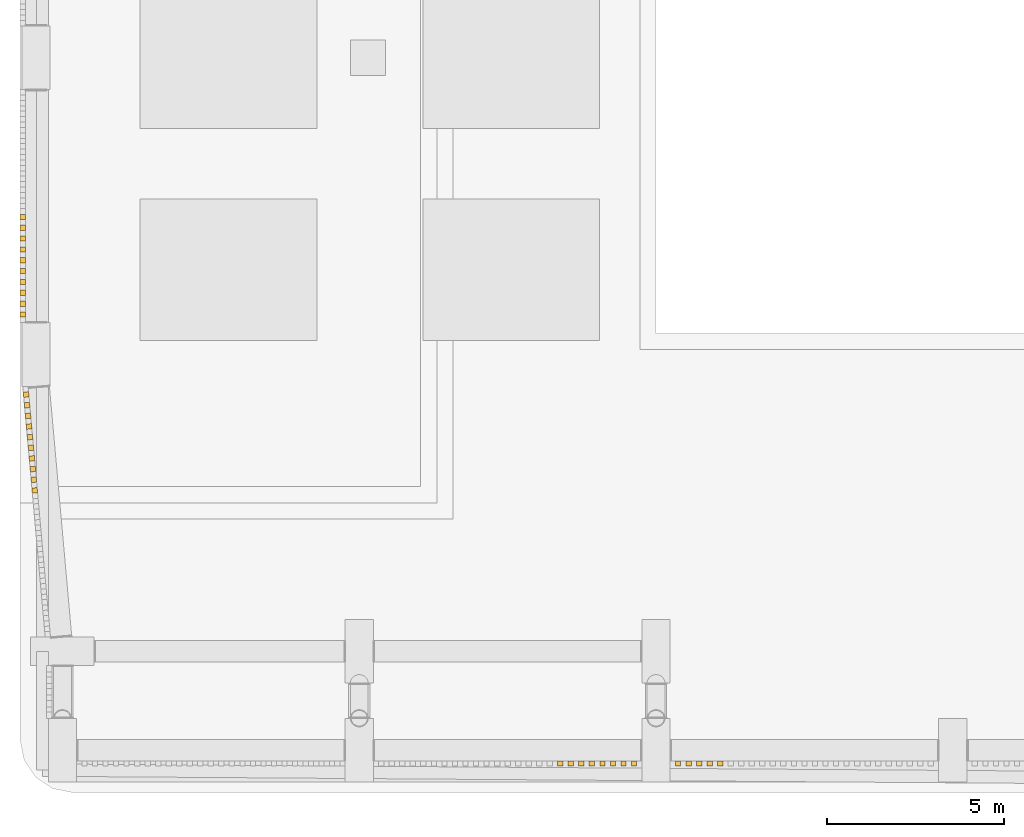
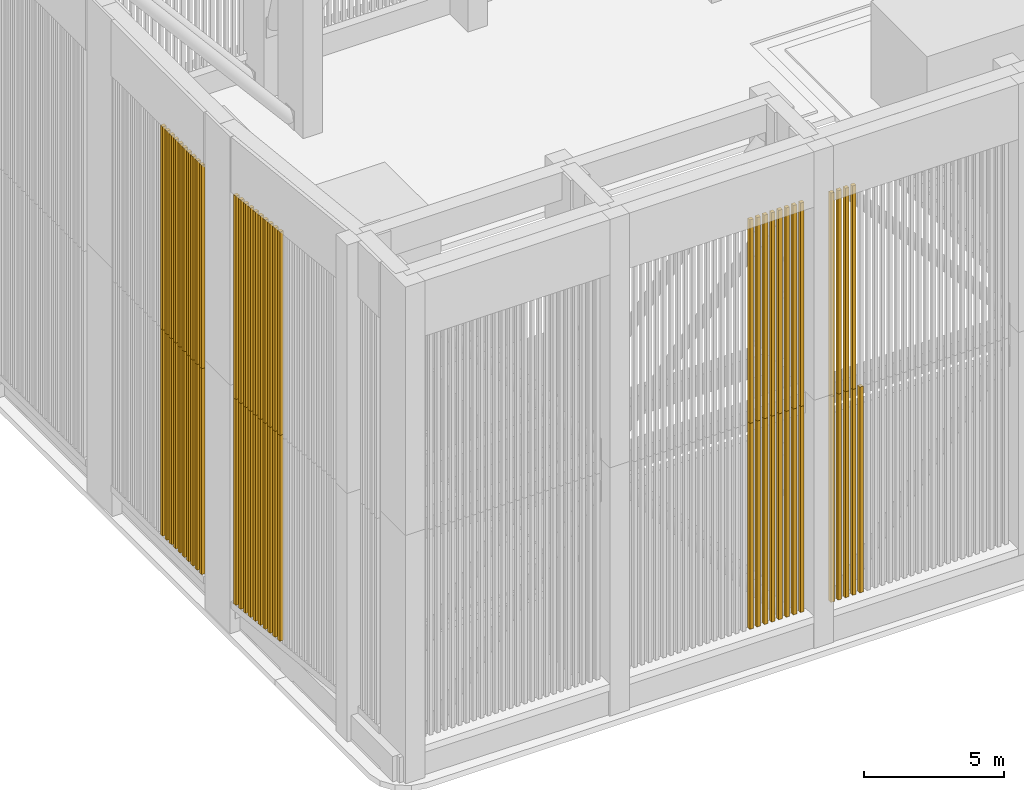
# One storey, part 10 of 27: 65 shading devices.
"""IFC4 building model written with IfcOpenShell, lengths in metres."""

from ifc_helpers import new_model, si_unit, direction, frame, origin, origin_2d, place, context, subcontext, project, spatial, rectangle, extrude, material, type_object, element, save


model = new_model("IFC4")

# Units and contexts
model_context = context("Model", 3, precision=1e-05, world=origin(), true_north=direction((0.0, 1.0)))
body_context = subcontext(model_context, "Body", "Model", "MODEL_VIEW")
ifc_project = project(units=[si_unit("LENGTHUNIT", "METRE"), si_unit("AREAUNIT", "SQUARE_METRE"), si_unit("VOLUMEUNIT", "CUBIC_METRE"), si_unit("PLANEANGLEUNIT", "RADIAN"), si_unit("MASSUNIT", "GRAM", prefix="KILO")], contexts=[model_context])

# Site, building, storey
site_placement = place(None, origin())
site = spatial("IfcSite", under=ifc_project, at=site_placement, CompositionType="ELEMENT")
building_placement = place(site_placement, origin())
building = spatial("IfcBuilding", under=site, at=building_placement, Name="Claustro Exchange Tower", CompositionType="ELEMENT")
storey_placement = place(building_placement, frame((0.0, 0.0, 287.10009765625)))
storey = spatial("IfcBuildingStorey", under=building, at=storey_placement, Name="ROOF", CompositionType="ELEMENT", Elevation=287.10009765625)

# Shading devices
ifc_material = material(Name="Concrete HA-40 (C40/50), precast, white cement, acid-etched", Category="concrete")
shading_device_type = type_object("IfcShadingDeviceType", Name="LV1 150 x 150 precast concrete crown louvre", PredefinedType="USERDEFINED", material=ifc_material)
shading_device_1_placement = place(storey_placement, frame((14.090087890625, 5.224609375, 1.39990234375), z_axis=(0.0, 0.0, 1.0), x_axis=(1.0, 0.0, 0.0)))
element("IfcShadingDevice", 1, at=shading_device_1_placement, inside=storey, type_object=shading_device_type, Name="CROWN LOUVRE LV1 2/A+5600 - 3/A+5600 18 lower", ObjectType="CROWN LOUVRE", PredefinedType="USERDEFINED", context=body_context, shape_type="SweptSolid", body=[
    extrude(rectangle(XDim=0.14990234375, YDim=0.14990234375, at=origin_2d()), origin(), (0.0, 0.0, 1.0), 8.949951171875),
])
shading_device_2_placement = place(storey_placement, frame((14.090087890625, 5.224609375, 10.349853515625), z_axis=(0.0, 0.0, 1.0), x_axis=(1.0, 0.0, 0.0)))
element("IfcShadingDevice", 2, at=shading_device_2_placement, inside=storey, type_object=shading_device_type, Name="CROWN LOUVRE LV1 2/A+5600 - 3/A+5600 18 upper", ObjectType="CROWN LOUVRE", PredefinedType="USERDEFINED", context=body_context, shape_type="SweptSolid", body=[
    extrude(rectangle(XDim=0.14990234375, YDim=0.14990234375, at=origin_2d()), origin(), (0.0, 0.0, 1.0), 8.85009765625),
])
shading_device_3_placement = place(storey_placement, frame((14.38818359375, 5.224609375, 1.39990234375), z_axis=(0.0, 0.0, 1.0), x_axis=(1.0, 0.0, 0.0)))
element("IfcShadingDevice", 3, at=shading_device_3_placement, inside=storey, type_object=shading_device_type, Name="CROWN LOUVRE LV1 2/A+5600 - 3/A+5600 19 lower", ObjectType="CROWN LOUVRE", PredefinedType="USERDEFINED", context=body_context, shape_type="SweptSolid", body=[
    extrude(rectangle(XDim=0.14990234375, YDim=0.14990234375, at=origin_2d()), origin(), (0.0, 0.0, 1.0), 8.949951171875),
])
shading_device_4_placement = place(storey_placement, frame((14.38818359375, 5.224609375, 10.349853515625), z_axis=(0.0, 0.0, 1.0), x_axis=(1.0, 0.0, 0.0)))
element("IfcShadingDevice", 4, at=shading_device_4_placement, inside=storey, type_object=shading_device_type, Name="CROWN LOUVRE LV1 2/A+5600 - 3/A+5600 19 upper", ObjectType="CROWN LOUVRE", PredefinedType="USERDEFINED", context=body_context, shape_type="SweptSolid", body=[
    extrude(rectangle(XDim=0.14990234375, YDim=0.14990234375, at=origin_2d()), origin(), (0.0, 0.0, 1.0), 8.85009765625),
])
shading_device_5_placement = place(storey_placement, frame((14.686279296875, 5.224609375, 1.39990234375), z_axis=(0.0, 0.0, 1.0), x_axis=(1.0, 0.0, 0.0)))
element("IfcShadingDevice", 5, at=shading_device_5_placement, inside=storey, type_object=shading_device_type, Name="CROWN LOUVRE LV1 2/A+5600 - 3/A+5600 20 lower", ObjectType="CROWN LOUVRE", PredefinedType="USERDEFINED", context=body_context, shape_type="SweptSolid", body=[
    extrude(rectangle(XDim=0.14990234375, YDim=0.14990234375, at=origin_2d()), origin(), (0.0, 0.0, 1.0), 8.949951171875),
])
shading_device_6_placement = place(storey_placement, frame((14.686279296875, 5.224609375, 10.349853515625), z_axis=(0.0, 0.0, 1.0), x_axis=(1.0, 0.0, 0.0)))
element("IfcShadingDevice", 6, at=shading_device_6_placement, inside=storey, type_object=shading_device_type, Name="CROWN LOUVRE LV1 2/A+5600 - 3/A+5600 20 upper", ObjectType="CROWN LOUVRE", PredefinedType="USERDEFINED", context=body_context, shape_type="SweptSolid", body=[
    extrude(rectangle(XDim=0.14990234375, YDim=0.14990234375, at=origin_2d()), origin(), (0.0, 0.0, 1.0), 8.85009765625),
])
shading_device_7_placement = place(storey_placement, frame((14.984375, 5.224609375, 1.39990234375), z_axis=(0.0, 0.0, 1.0), x_axis=(1.0, 0.0, 0.0)))
element("IfcShadingDevice", 7, at=shading_device_7_placement, inside=storey, type_object=shading_device_type, Name="CROWN LOUVRE LV1 2/A+5600 - 3/A+5600 21 lower", ObjectType="CROWN LOUVRE", PredefinedType="USERDEFINED", context=body_context, shape_type="SweptSolid", body=[
    extrude(rectangle(XDim=0.14990234375, YDim=0.14990234375, at=origin_2d()), origin(), (0.0, 0.0, 1.0), 8.949951171875),
])
shading_device_8_placement = place(storey_placement, frame((14.984375, 5.224609375, 10.349853515625), z_axis=(0.0, 0.0, 1.0), x_axis=(1.0, 0.0, 0.0)))
element("IfcShadingDevice", 8, at=shading_device_8_placement, inside=storey, type_object=shading_device_type, Name="CROWN LOUVRE LV1 2/A+5600 - 3/A+5600 21 upper", ObjectType="CROWN LOUVRE", PredefinedType="USERDEFINED", context=body_context, shape_type="SweptSolid", body=[
    extrude(rectangle(XDim=0.14990234375, YDim=0.14990234375, at=origin_2d()), origin(), (0.0, 0.0, 1.0), 8.85009765625),
])
shading_device_9_placement = place(storey_placement, frame((15.2822265625, 5.224609375, 1.39990234375), z_axis=(0.0, 0.0, 1.0), x_axis=(1.0, 0.0, 0.0)))
element("IfcShadingDevice", 9, at=shading_device_9_placement, inside=storey, type_object=shading_device_type, Name="CROWN LOUVRE LV1 2/A+5600 - 3/A+5600 22 lower", ObjectType="CROWN LOUVRE", PredefinedType="USERDEFINED", context=body_context, shape_type="SweptSolid", body=[
    extrude(rectangle(XDim=0.14990234375, YDim=0.14990234375, at=origin_2d()), origin(), (0.0, 0.0, 1.0), 8.949951171875),
])
shading_device_10_placement = place(storey_placement, frame((15.2822265625, 5.224609375, 10.349853515625), z_axis=(0.0, 0.0, 1.0), x_axis=(1.0, 0.0, 0.0)))
element("IfcShadingDevice", 10, at=shading_device_10_placement, inside=storey, type_object=shading_device_type, Name="CROWN LOUVRE LV1 2/A+5600 - 3/A+5600 22 upper", ObjectType="CROWN LOUVRE", PredefinedType="USERDEFINED", context=body_context, shape_type="SweptSolid", body=[
    extrude(rectangle(XDim=0.14990234375, YDim=0.14990234375, at=origin_2d()), origin(), (0.0, 0.0, 1.0), 8.85009765625),
])
shading_device_11_placement = place(storey_placement, frame((15.580322265625, 5.224609375, 1.39990234375), z_axis=(0.0, 0.0, 1.0), x_axis=(1.0, 0.0, 0.0)))
element("IfcShadingDevice", 11, at=shading_device_11_placement, inside=storey, type_object=shading_device_type, Name="CROWN LOUVRE LV1 2/A+5600 - 3/A+5600 23 lower", ObjectType="CROWN LOUVRE", PredefinedType="USERDEFINED", context=body_context, shape_type="SweptSolid", body=[
    extrude(rectangle(XDim=0.14990234375, YDim=0.14990234375, at=origin_2d()), origin(), (0.0, 0.0, 1.0), 8.949951171875),
])
shading_device_12_placement = place(storey_placement, frame((15.580322265625, 5.224609375, 10.349853515625), z_axis=(0.0, 0.0, 1.0), x_axis=(1.0, 0.0, 0.0)))
element("IfcShadingDevice", 12, at=shading_device_12_placement, inside=storey, type_object=shading_device_type, Name="CROWN LOUVRE LV1 2/A+5600 - 3/A+5600 23 upper", ObjectType="CROWN LOUVRE", PredefinedType="USERDEFINED", context=body_context, shape_type="SweptSolid", body=[
    extrude(rectangle(XDim=0.14990234375, YDim=0.14990234375, at=origin_2d()), origin(), (0.0, 0.0, 1.0), 8.85009765625),
])
shading_device_13_placement = place(storey_placement, frame((15.87841796875, 5.224609375, 1.39990234375), z_axis=(0.0, 0.0, 1.0), x_axis=(1.0, 0.0, 0.0)))
element("IfcShadingDevice", 13, at=shading_device_13_placement, inside=storey, type_object=shading_device_type, Name="CROWN LOUVRE LV1 2/A+5600 - 3/A+5600 24 lower", ObjectType="CROWN LOUVRE", PredefinedType="USERDEFINED", context=body_context, shape_type="SweptSolid", body=[
    extrude(rectangle(XDim=0.14990234375, YDim=0.14990234375, at=origin_2d()), origin(), (0.0, 0.0, 1.0), 8.949951171875),
])
shading_device_14_placement = place(storey_placement, frame((15.87841796875, 5.224609375, 10.349853515625), z_axis=(0.0, 0.0, 1.0), x_axis=(1.0, 0.0, 0.0)))
element("IfcShadingDevice", 14, at=shading_device_14_placement, inside=storey, type_object=shading_device_type, Name="CROWN LOUVRE LV1 2/A+5600 - 3/A+5600 24 upper", ObjectType="CROWN LOUVRE", PredefinedType="USERDEFINED", context=body_context, shape_type="SweptSolid", body=[
    extrude(rectangle(XDim=0.14990234375, YDim=0.14990234375, at=origin_2d()), origin(), (0.0, 0.0, 1.0), 8.85009765625),
])
shading_device_15_placement = place(storey_placement, frame((16.176513671875, 5.224609375, 1.39990234375), z_axis=(0.0, 0.0, 1.0), x_axis=(1.0, 0.0, 0.0)))
element("IfcShadingDevice", 15, at=shading_device_15_placement, inside=storey, type_object=shading_device_type, Name="CROWN LOUVRE LV1 2/A+5600 - 3/A+5600 25 lower", ObjectType="CROWN LOUVRE", PredefinedType="USERDEFINED", context=body_context, shape_type="SweptSolid", body=[
    extrude(rectangle(XDim=0.14990234375, YDim=0.14990234375, at=origin_2d()), origin(), (0.0, 0.0, 1.0), 8.949951171875),
])
shading_device_16_placement = place(storey_placement, frame((16.176513671875, 5.224609375, 10.349853515625), z_axis=(0.0, 0.0, 1.0), x_axis=(1.0, 0.0, 0.0)))
element("IfcShadingDevice", 16, at=shading_device_16_placement, inside=storey, type_object=shading_device_type, Name="CROWN LOUVRE LV1 2/A+5600 - 3/A+5600 25 upper", ObjectType="CROWN LOUVRE", PredefinedType="USERDEFINED", context=body_context, shape_type="SweptSolid", body=[
    extrude(rectangle(XDim=0.14990234375, YDim=0.14990234375, at=origin_2d()), origin(), (0.0, 0.0, 1.0), 8.85009765625),
])
shading_device_17_placement = place(storey_placement, frame((17.423583984375, 5.224609375, 1.39990234375), z_axis=(0.0, 0.0, 1.0), x_axis=(1.0, 0.0, 0.0)))
element("IfcShadingDevice", 17, at=shading_device_17_placement, inside=storey, type_object=shading_device_type, Name="CROWN LOUVRE LV1 3/A+5600 - 4/A+5600 01 lower", ObjectType="CROWN LOUVRE", PredefinedType="USERDEFINED", context=body_context, shape_type="SweptSolid", body=[
    extrude(rectangle(XDim=0.14990234375, YDim=0.14990234375, at=origin_2d()), origin(), (0.0, 0.0, 1.0), 8.949951171875),
])
shading_device_18_placement = place(storey_placement, frame((17.423583984375, 5.224609375, 10.349853515625), z_axis=(0.0, 0.0, 1.0), x_axis=(1.0, 0.0, 0.0)))
element("IfcShadingDevice", 18, at=shading_device_18_placement, inside=storey, type_object=shading_device_type, Name="CROWN LOUVRE LV1 3/A+5600 - 4/A+5600 01 upper", ObjectType="CROWN LOUVRE", PredefinedType="USERDEFINED", context=body_context, shape_type="SweptSolid", body=[
    extrude(rectangle(XDim=0.14990234375, YDim=0.14990234375, at=origin_2d()), origin(), (0.0, 0.0, 1.0), 8.85009765625),
])
shading_device_19_placement = place(storey_placement, frame((17.7216796875, 5.224609375, 1.39990234375), z_axis=(0.0, 0.0, 1.0), x_axis=(1.0, 0.0, 0.0)))
element("IfcShadingDevice", 19, at=shading_device_19_placement, inside=storey, type_object=shading_device_type, Name="CROWN LOUVRE LV1 3/A+5600 - 4/A+5600 02 lower", ObjectType="CROWN LOUVRE", PredefinedType="USERDEFINED", context=body_context, shape_type="SweptSolid", body=[
    extrude(rectangle(XDim=0.14990234375, YDim=0.14990234375, at=origin_2d()), origin(), (0.0, 0.0, 1.0), 8.949951171875),
])
shading_device_20_placement = place(storey_placement, frame((17.7216796875, 5.224609375, 10.349853515625), z_axis=(0.0, 0.0, 1.0), x_axis=(1.0, 0.0, 0.0)))
element("IfcShadingDevice", 20, at=shading_device_20_placement, inside=storey, type_object=shading_device_type, Name="CROWN LOUVRE LV1 3/A+5600 - 4/A+5600 02 upper", ObjectType="CROWN LOUVRE", PredefinedType="USERDEFINED", context=body_context, shape_type="SweptSolid", body=[
    extrude(rectangle(XDim=0.14990234375, YDim=0.14990234375, at=origin_2d()), origin(), (0.0, 0.0, 1.0), 8.85009765625),
])
shading_device_21_placement = place(storey_placement, frame((18.01953125, 5.224609375, 1.39990234375), z_axis=(0.0, 0.0, 1.0), x_axis=(1.0, 0.0, 0.0)))
element("IfcShadingDevice", 21, at=shading_device_21_placement, inside=storey, type_object=shading_device_type, Name="CROWN LOUVRE LV1 3/A+5600 - 4/A+5600 03 lower", ObjectType="CROWN LOUVRE", PredefinedType="USERDEFINED", context=body_context, shape_type="SweptSolid", body=[
    extrude(rectangle(XDim=0.14990234375, YDim=0.14990234375, at=origin_2d()), origin(), (0.0, 0.0, 1.0), 8.949951171875),
])
shading_device_22_placement = place(storey_placement, frame((18.01953125, 5.224609375, 10.349853515625), z_axis=(0.0, 0.0, 1.0), x_axis=(1.0, 0.0, 0.0)))
element("IfcShadingDevice", 22, at=shading_device_22_placement, inside=storey, type_object=shading_device_type, Name="CROWN LOUVRE LV1 3/A+5600 - 4/A+5600 03 upper", ObjectType="CROWN LOUVRE", PredefinedType="USERDEFINED", context=body_context, shape_type="SweptSolid", body=[
    extrude(rectangle(XDim=0.14990234375, YDim=0.14990234375, at=origin_2d()), origin(), (0.0, 0.0, 1.0), 8.85009765625),
])
shading_device_23_placement = place(storey_placement, frame((18.317626953125, 5.224609375, 1.39990234375), z_axis=(0.0, 0.0, 1.0), x_axis=(1.0, 0.0, 0.0)))
element("IfcShadingDevice", 23, at=shading_device_23_placement, inside=storey, type_object=shading_device_type, Name="CROWN LOUVRE LV1 3/A+5600 - 4/A+5600 04 lower", ObjectType="CROWN LOUVRE", PredefinedType="USERDEFINED", context=body_context, shape_type="SweptSolid", body=[
    extrude(rectangle(XDim=0.14990234375, YDim=0.14990234375, at=origin_2d()), origin(), (0.0, 0.0, 1.0), 8.949951171875),
])
shading_device_24_placement = place(storey_placement, frame((18.317626953125, 5.224609375, 10.349853515625), z_axis=(0.0, 0.0, 1.0), x_axis=(1.0, 0.0, 0.0)))
element("IfcShadingDevice", 24, at=shading_device_24_placement, inside=storey, type_object=shading_device_type, Name="CROWN LOUVRE LV1 3/A+5600 - 4/A+5600 04 upper", ObjectType="CROWN LOUVRE", PredefinedType="USERDEFINED", context=body_context, shape_type="SweptSolid", body=[
    extrude(rectangle(XDim=0.14990234375, YDim=0.14990234375, at=origin_2d()), origin(), (0.0, 0.0, 1.0), 8.85009765625),
])
for number, where, z_axis, x_axis, name in (
    (25, (18.61572265625, 5.224609375, 1.39990234375), (0.0, 0.0, 1.0), (1.0, 0.0, 0.0), "CROWN LOUVRE LV1 3/A+5600 - 4/A+5600 05 lower"),
    (26, (-0.783447265625, 12.952880859375, 1.39990234375), (0.0, 0.0, 1.0), (-0.088932542032, 0.996037651381, 0.0), "CROWN LOUVRE LV1 1/B - 1+-750/C 14 lower"),
):
    element("IfcShadingDevice", number, at=place(storey_placement, frame(where, z_axis=z_axis, x_axis=x_axis)), inside=storey, type_object=shading_device_type, Name=name, ObjectType="CROWN LOUVRE", PredefinedType="USERDEFINED", context=body_context, shape_type="SweptSolid", body=[
        extrude(rectangle(XDim=0.14990234375, YDim=0.14990234375, at=origin_2d()), origin(), (0.0, 0.0, 1.0), 8.949951171875),
    ])
shading_device_25_placement = place(storey_placement, frame((-0.783447265625, 12.952880859375, 10.349853515625), z_axis=(0.0, 0.0, 1.0), x_axis=(-0.088932542032, 0.996037651381, 0.0)))
element("IfcShadingDevice", 27, at=shading_device_25_placement, inside=storey, type_object=shading_device_type, Name="CROWN LOUVRE LV1 1/B - 1+-750/C 14 upper", ObjectType="CROWN LOUVRE", PredefinedType="USERDEFINED", context=body_context, shape_type="SweptSolid", body=[
    extrude(rectangle(XDim=0.14990234375, YDim=0.14990234375, at=origin_2d()), origin(), (0.0, 0.0, 1.0), 8.85009765625),
])
shading_device_26_placement = place(storey_placement, frame((-0.810302734375, 13.25439453125, 1.39990234375), z_axis=(0.0, 0.0, 1.0), x_axis=(-0.088932542032, 0.996037651381, 0.0)))
element("IfcShadingDevice", 28, at=shading_device_26_placement, inside=storey, type_object=shading_device_type, Name="CROWN LOUVRE LV1 1/B - 1+-750/C 15 lower", ObjectType="CROWN LOUVRE", PredefinedType="USERDEFINED", context=body_context, shape_type="SweptSolid", body=[
    extrude(rectangle(XDim=0.14990234375, YDim=0.14990234375, at=origin_2d()), origin(), (0.0, 0.0, 1.0), 8.949951171875),
])
shading_device_27_placement = place(storey_placement, frame((-0.810302734375, 13.25439453125, 10.349853515625), z_axis=(0.0, 0.0, 1.0), x_axis=(-0.088932542032, 0.996037651381, 0.0)))
element("IfcShadingDevice", 29, at=shading_device_27_placement, inside=storey, type_object=shading_device_type, Name="CROWN LOUVRE LV1 1/B - 1+-750/C 15 upper", ObjectType="CROWN LOUVRE", PredefinedType="USERDEFINED", context=body_context, shape_type="SweptSolid", body=[
    extrude(rectangle(XDim=0.14990234375, YDim=0.14990234375, at=origin_2d()), origin(), (0.0, 0.0, 1.0), 8.85009765625),
])
shading_device_28_placement = place(storey_placement, frame((-0.83740234375, 13.555908203125, 1.39990234375), z_axis=(0.0, 0.0, 1.0), x_axis=(-0.088932542032, 0.996037651381, 0.0)))
element("IfcShadingDevice", 30, at=shading_device_28_placement, inside=storey, type_object=shading_device_type, Name="CROWN LOUVRE LV1 1/B - 1+-750/C 16 lower", ObjectType="CROWN LOUVRE", PredefinedType="USERDEFINED", context=body_context, shape_type="SweptSolid", body=[
    extrude(rectangle(XDim=0.14990234375, YDim=0.14990234375, at=origin_2d()), origin(), (0.0, 0.0, 1.0), 8.949951171875),
])
shading_device_29_placement = place(storey_placement, frame((-0.83740234375, 13.555908203125, 10.349853515625), z_axis=(0.0, 0.0, 1.0), x_axis=(-0.088932542032, 0.996037651381, 0.0)))
element("IfcShadingDevice", 31, at=shading_device_29_placement, inside=storey, type_object=shading_device_type, Name="CROWN LOUVRE LV1 1/B - 1+-750/C 16 upper", ObjectType="CROWN LOUVRE", PredefinedType="USERDEFINED", context=body_context, shape_type="SweptSolid", body=[
    extrude(rectangle(XDim=0.14990234375, YDim=0.14990234375, at=origin_2d()), origin(), (0.0, 0.0, 1.0), 8.85009765625),
])
shading_device_30_placement = place(storey_placement, frame((-0.8642578125, 13.857421875, 1.39990234375), z_axis=(0.0, 0.0, 1.0), x_axis=(-0.088932542032, 0.996037651381, 0.0)))
element("IfcShadingDevice", 32, at=shading_device_30_placement, inside=storey, type_object=shading_device_type, Name="CROWN LOUVRE LV1 1/B - 1+-750/C 17 lower", ObjectType="CROWN LOUVRE", PredefinedType="USERDEFINED", context=body_context, shape_type="SweptSolid", body=[
    extrude(rectangle(XDim=0.14990234375, YDim=0.14990234375, at=origin_2d()), origin(), (0.0, 0.0, 1.0), 8.949951171875),
])
shading_device_31_placement = place(storey_placement, frame((-0.8642578125, 13.857421875, 10.349853515625), z_axis=(0.0, 0.0, 1.0), x_axis=(-0.088932542032, 0.996037651381, 0.0)))
element("IfcShadingDevice", 33, at=shading_device_31_placement, inside=storey, type_object=shading_device_type, Name="CROWN LOUVRE LV1 1/B - 1+-750/C 17 upper", ObjectType="CROWN LOUVRE", PredefinedType="USERDEFINED", context=body_context, shape_type="SweptSolid", body=[
    extrude(rectangle(XDim=0.14990234375, YDim=0.14990234375, at=origin_2d()), origin(), (0.0, 0.0, 1.0), 8.85009765625),
])
shading_device_32_placement = place(storey_placement, frame((-0.89111328125, 14.15869140625, 1.39990234375), z_axis=(0.0, 0.0, 1.0), x_axis=(-0.088932542032, 0.996037651381, 0.0)))
element("IfcShadingDevice", 34, at=shading_device_32_placement, inside=storey, type_object=shading_device_type, Name="CROWN LOUVRE LV1 1/B - 1+-750/C 18 lower", ObjectType="CROWN LOUVRE", PredefinedType="USERDEFINED", context=body_context, shape_type="SweptSolid", body=[
    extrude(rectangle(XDim=0.14990234375, YDim=0.14990234375, at=origin_2d()), origin(), (0.0, 0.0, 1.0), 8.949951171875),
])
shading_device_33_placement = place(storey_placement, frame((-0.89111328125, 14.15869140625, 10.349853515625), z_axis=(0.0, 0.0, 1.0), x_axis=(-0.088932542032, 0.996037651381, 0.0)))
element("IfcShadingDevice", 35, at=shading_device_33_placement, inside=storey, type_object=shading_device_type, Name="CROWN LOUVRE LV1 1/B - 1+-750/C 18 upper", ObjectType="CROWN LOUVRE", PredefinedType="USERDEFINED", context=body_context, shape_type="SweptSolid", body=[
    extrude(rectangle(XDim=0.14990234375, YDim=0.14990234375, at=origin_2d()), origin(), (0.0, 0.0, 1.0), 8.85009765625),
])
shading_device_34_placement = place(storey_placement, frame((-0.918212890625, 14.460205078125, 1.39990234375), z_axis=(0.0, 0.0, 1.0), x_axis=(-0.088932542032, 0.996037651381, 0.0)))
element("IfcShadingDevice", 36, at=shading_device_34_placement, inside=storey, type_object=shading_device_type, Name="CROWN LOUVRE LV1 1/B - 1+-750/C 19 lower", ObjectType="CROWN LOUVRE", PredefinedType="USERDEFINED", context=body_context, shape_type="SweptSolid", body=[
    extrude(rectangle(XDim=0.14990234375, YDim=0.14990234375, at=origin_2d()), origin(), (0.0, 0.0, 1.0), 8.949951171875),
])
shading_device_35_placement = place(storey_placement, frame((-0.918212890625, 14.460205078125, 10.349853515625), z_axis=(0.0, 0.0, 1.0), x_axis=(-0.088932542032, 0.996037651381, 0.0)))
element("IfcShadingDevice", 37, at=shading_device_35_placement, inside=storey, type_object=shading_device_type, Name="CROWN LOUVRE LV1 1/B - 1+-750/C 19 upper", ObjectType="CROWN LOUVRE", PredefinedType="USERDEFINED", context=body_context, shape_type="SweptSolid", body=[
    extrude(rectangle(XDim=0.14990234375, YDim=0.14990234375, at=origin_2d()), origin(), (0.0, 0.0, 1.0), 8.85009765625),
])
shading_device_36_placement = place(storey_placement, frame((-0.945068359375, 14.76171875, 1.39990234375), z_axis=(0.0, 0.0, 1.0), x_axis=(-0.088932542032, 0.996037651381, 0.0)))
element("IfcShadingDevice", 38, at=shading_device_36_placement, inside=storey, type_object=shading_device_type, Name="CROWN LOUVRE LV1 1/B - 1+-750/C 20 lower", ObjectType="CROWN LOUVRE", PredefinedType="USERDEFINED", context=body_context, shape_type="SweptSolid", body=[
    extrude(rectangle(XDim=0.14990234375, YDim=0.14990234375, at=origin_2d()), origin(), (0.0, 0.0, 1.0), 8.949951171875),
])
shading_device_37_placement = place(storey_placement, frame((-0.945068359375, 14.76171875, 10.349853515625), z_axis=(0.0, 0.0, 1.0), x_axis=(-0.088932542032, 0.996037651381, 0.0)))
element("IfcShadingDevice", 39, at=shading_device_37_placement, inside=storey, type_object=shading_device_type, Name="CROWN LOUVRE LV1 1/B - 1+-750/C 20 upper", ObjectType="CROWN LOUVRE", PredefinedType="USERDEFINED", context=body_context, shape_type="SweptSolid", body=[
    extrude(rectangle(XDim=0.14990234375, YDim=0.14990234375, at=origin_2d()), origin(), (0.0, 0.0, 1.0), 8.85009765625),
])
shading_device_38_placement = place(storey_placement, frame((-0.971923828125, 15.063232421875, 1.39990234375), z_axis=(0.0, 0.0, 1.0), x_axis=(-0.088932542032, 0.996037651381, 0.0)))
element("IfcShadingDevice", 40, at=shading_device_38_placement, inside=storey, type_object=shading_device_type, Name="CROWN LOUVRE LV1 1/B - 1+-750/C 21 lower", ObjectType="CROWN LOUVRE", PredefinedType="USERDEFINED", context=body_context, shape_type="SweptSolid", body=[
    extrude(rectangle(XDim=0.14990234375, YDim=0.14990234375, at=origin_2d()), origin(), (0.0, 0.0, 1.0), 8.949951171875),
])
shading_device_39_placement = place(storey_placement, frame((-0.971923828125, 15.063232421875, 10.349853515625), z_axis=(0.0, 0.0, 1.0), x_axis=(-0.088932542032, 0.996037651381, 0.0)))
element("IfcShadingDevice", 41, at=shading_device_39_placement, inside=storey, type_object=shading_device_type, Name="CROWN LOUVRE LV1 1/B - 1+-750/C 21 upper", ObjectType="CROWN LOUVRE", PredefinedType="USERDEFINED", context=body_context, shape_type="SweptSolid", body=[
    extrude(rectangle(XDim=0.14990234375, YDim=0.14990234375, at=origin_2d()), origin(), (0.0, 0.0, 1.0), 8.85009765625),
])
shading_device_40_placement = place(storey_placement, frame((-0.998779296875, 15.364501953125, 1.39990234375), z_axis=(0.0, 0.0, 1.0), x_axis=(-0.088932542032, 0.996037651381, 0.0)))
element("IfcShadingDevice", 42, at=shading_device_40_placement, inside=storey, type_object=shading_device_type, Name="CROWN LOUVRE LV1 1/B - 1+-750/C 22 lower", ObjectType="CROWN LOUVRE", PredefinedType="USERDEFINED", context=body_context, shape_type="SweptSolid", body=[
    extrude(rectangle(XDim=0.14990234375, YDim=0.14990234375, at=origin_2d()), origin(), (0.0, 0.0, 1.0), 8.949951171875),
])
shading_device_41_placement = place(storey_placement, frame((-0.998779296875, 15.364501953125, 10.349853515625), z_axis=(0.0, 0.0, 1.0), x_axis=(-0.088932542032, 0.996037651381, 0.0)))
element("IfcShadingDevice", 43, at=shading_device_41_placement, inside=storey, type_object=shading_device_type, Name="CROWN LOUVRE LV1 1/B - 1+-750/C 22 upper", ObjectType="CROWN LOUVRE", PredefinedType="USERDEFINED", context=body_context, shape_type="SweptSolid", body=[
    extrude(rectangle(XDim=0.14990234375, YDim=0.14990234375, at=origin_2d()), origin(), (0.0, 0.0, 1.0), 8.85009765625),
])
shading_device_42_placement = place(storey_placement, frame((-1.02587890625, 15.666015625, 1.39990234375), z_axis=(0.0, 0.0, 1.0), x_axis=(-0.088932542032, 0.996037651381, 0.0)))
element("IfcShadingDevice", 44, at=shading_device_42_placement, inside=storey, type_object=shading_device_type, Name="CROWN LOUVRE LV1 1/B - 1+-750/C 23 lower", ObjectType="CROWN LOUVRE", PredefinedType="USERDEFINED", context=body_context, shape_type="SweptSolid", body=[
    extrude(rectangle(XDim=0.14990234375, YDim=0.14990234375, at=origin_2d()), origin(), (0.0, 0.0, 1.0), 8.949951171875),
])
shading_device_43_placement = place(storey_placement, frame((-1.02587890625, 15.666015625, 10.349853515625), z_axis=(0.0, 0.0, 1.0), x_axis=(-0.088932542032, 0.996037651381, 0.0)))
element("IfcShadingDevice", 45, at=shading_device_43_placement, inside=storey, type_object=shading_device_type, Name="CROWN LOUVRE LV1 1/B - 1+-750/C 23 upper", ObjectType="CROWN LOUVRE", PredefinedType="USERDEFINED", context=body_context, shape_type="SweptSolid", body=[
    extrude(rectangle(XDim=0.14990234375, YDim=0.14990234375, at=origin_2d()), origin(), (0.0, 0.0, 1.0), 8.85009765625),
])
shading_device_44_placement = place(storey_placement, frame((-1.12548828125, 17.932373046875, 1.39990234375), z_axis=(0.0, 0.0, 1.0), x_axis=(0.0, 1.0, 0.0)))
element("IfcShadingDevice", 46, at=shading_device_44_placement, inside=storey, type_object=shading_device_type, Name="CROWN LOUVRE LV1 1+-750/C - 1+-750/D 01 lower", ObjectType="CROWN LOUVRE", PredefinedType="USERDEFINED", context=body_context, shape_type="SweptSolid", body=[
    extrude(rectangle(XDim=0.14990234375, YDim=0.14990234375, at=origin_2d()), origin(), (0.0, 0.0, 1.0), 8.949951171875),
])
shading_device_45_placement = place(storey_placement, frame((-1.12548828125, 17.932373046875, 10.349853515625), z_axis=(0.0, 0.0, 1.0), x_axis=(0.0, 1.0, 0.0)))
element("IfcShadingDevice", 47, at=shading_device_45_placement, inside=storey, type_object=shading_device_type, Name="CROWN LOUVRE LV1 1+-750/C - 1+-750/D 01 upper", ObjectType="CROWN LOUVRE", PredefinedType="USERDEFINED", context=body_context, shape_type="SweptSolid", body=[
    extrude(rectangle(XDim=0.14990234375, YDim=0.14990234375, at=origin_2d()), origin(), (0.0, 0.0, 1.0), 8.85009765625),
])
shading_device_46_placement = place(storey_placement, frame((-1.12548828125, 18.239013671875, 1.39990234375), z_axis=(0.0, 0.0, 1.0), x_axis=(0.0, 1.0, 0.0)))
element("IfcShadingDevice", 48, at=shading_device_46_placement, inside=storey, type_object=shading_device_type, Name="CROWN LOUVRE LV1 1+-750/C - 1+-750/D 02 lower", ObjectType="CROWN LOUVRE", PredefinedType="USERDEFINED", context=body_context, shape_type="SweptSolid", body=[
    extrude(rectangle(XDim=0.14990234375, YDim=0.14990234375, at=origin_2d()), origin(), (0.0, 0.0, 1.0), 8.949951171875),
])
shading_device_47_placement = place(storey_placement, frame((-1.12548828125, 18.239013671875, 10.349853515625), z_axis=(0.0, 0.0, 1.0), x_axis=(0.0, 1.0, 0.0)))
element("IfcShadingDevice", 49, at=shading_device_47_placement, inside=storey, type_object=shading_device_type, Name="CROWN LOUVRE LV1 1+-750/C - 1+-750/D 02 upper", ObjectType="CROWN LOUVRE", PredefinedType="USERDEFINED", context=body_context, shape_type="SweptSolid", body=[
    extrude(rectangle(XDim=0.14990234375, YDim=0.14990234375, at=origin_2d()), origin(), (0.0, 0.0, 1.0), 8.85009765625),
])
shading_device_48_placement = place(storey_placement, frame((-1.12548828125, 18.5458984375, 1.39990234375), z_axis=(0.0, 0.0, 1.0), x_axis=(0.0, 1.0, 0.0)))
element("IfcShadingDevice", 50, at=shading_device_48_placement, inside=storey, type_object=shading_device_type, Name="CROWN LOUVRE LV1 1+-750/C - 1+-750/D 03 lower", ObjectType="CROWN LOUVRE", PredefinedType="USERDEFINED", context=body_context, shape_type="SweptSolid", body=[
    extrude(rectangle(XDim=0.14990234375, YDim=0.14990234375, at=origin_2d()), origin(), (0.0, 0.0, 1.0), 8.949951171875),
])
shading_device_49_placement = place(storey_placement, frame((-1.12548828125, 18.5458984375, 10.349853515625), z_axis=(0.0, 0.0, 1.0), x_axis=(0.0, 1.0, 0.0)))
element("IfcShadingDevice", 51, at=shading_device_49_placement, inside=storey, type_object=shading_device_type, Name="CROWN LOUVRE LV1 1+-750/C - 1+-750/D 03 upper", ObjectType="CROWN LOUVRE", PredefinedType="USERDEFINED", context=body_context, shape_type="SweptSolid", body=[
    extrude(rectangle(XDim=0.14990234375, YDim=0.14990234375, at=origin_2d()), origin(), (0.0, 0.0, 1.0), 8.85009765625),
])
shading_device_50_placement = place(storey_placement, frame((-1.12548828125, 18.8525390625, 1.39990234375), z_axis=(0.0, 0.0, 1.0), x_axis=(0.0, 1.0, 0.0)))
element("IfcShadingDevice", 52, at=shading_device_50_placement, inside=storey, type_object=shading_device_type, Name="CROWN LOUVRE LV1 1+-750/C - 1+-750/D 04 lower", ObjectType="CROWN LOUVRE", PredefinedType="USERDEFINED", context=body_context, shape_type="SweptSolid", body=[
    extrude(rectangle(XDim=0.14990234375, YDim=0.14990234375, at=origin_2d()), origin(), (0.0, 0.0, 1.0), 8.949951171875),
])
shading_device_51_placement = place(storey_placement, frame((-1.12548828125, 18.8525390625, 10.349853515625), z_axis=(0.0, 0.0, 1.0), x_axis=(0.0, 1.0, 0.0)))
element("IfcShadingDevice", 53, at=shading_device_51_placement, inside=storey, type_object=shading_device_type, Name="CROWN LOUVRE LV1 1+-750/C - 1+-750/D 04 upper", ObjectType="CROWN LOUVRE", PredefinedType="USERDEFINED", context=body_context, shape_type="SweptSolid", body=[
    extrude(rectangle(XDim=0.14990234375, YDim=0.14990234375, at=origin_2d()), origin(), (0.0, 0.0, 1.0), 8.85009765625),
])
shading_device_52_placement = place(storey_placement, frame((-1.12548828125, 19.159423828125, 1.39990234375), z_axis=(0.0, 0.0, 1.0), x_axis=(0.0, 1.0, 0.0)))
element("IfcShadingDevice", 54, at=shading_device_52_placement, inside=storey, type_object=shading_device_type, Name="CROWN LOUVRE LV1 1+-750/C - 1+-750/D 05 lower", ObjectType="CROWN LOUVRE", PredefinedType="USERDEFINED", context=body_context, shape_type="SweptSolid", body=[
    extrude(rectangle(XDim=0.14990234375, YDim=0.14990234375, at=origin_2d()), origin(), (0.0, 0.0, 1.0), 8.949951171875),
])
shading_device_53_placement = place(storey_placement, frame((-1.12548828125, 19.159423828125, 10.349853515625), z_axis=(0.0, 0.0, 1.0), x_axis=(0.0, 1.0, 0.0)))
element("IfcShadingDevice", 55, at=shading_device_53_placement, inside=storey, type_object=shading_device_type, Name="CROWN LOUVRE LV1 1+-750/C - 1+-750/D 05 upper", ObjectType="CROWN LOUVRE", PredefinedType="USERDEFINED", context=body_context, shape_type="SweptSolid", body=[
    extrude(rectangle(XDim=0.14990234375, YDim=0.14990234375, at=origin_2d()), origin(), (0.0, 0.0, 1.0), 8.85009765625),
])
shading_device_54_placement = place(storey_placement, frame((-1.12548828125, 19.466064453125, 1.39990234375), z_axis=(0.0, 0.0, 1.0), x_axis=(0.0, 1.0, 0.0)))
element("IfcShadingDevice", 56, at=shading_device_54_placement, inside=storey, type_object=shading_device_type, Name="CROWN LOUVRE LV1 1+-750/C - 1+-750/D 06 lower", ObjectType="CROWN LOUVRE", PredefinedType="USERDEFINED", context=body_context, shape_type="SweptSolid", body=[
    extrude(rectangle(XDim=0.14990234375, YDim=0.14990234375, at=origin_2d()), origin(), (0.0, 0.0, 1.0), 8.949951171875),
])
shading_device_55_placement = place(storey_placement, frame((-1.12548828125, 19.466064453125, 10.349853515625), z_axis=(0.0, 0.0, 1.0), x_axis=(0.0, 1.0, 0.0)))
element("IfcShadingDevice", 57, at=shading_device_55_placement, inside=storey, type_object=shading_device_type, Name="CROWN LOUVRE LV1 1+-750/C - 1+-750/D 06 upper", ObjectType="CROWN LOUVRE", PredefinedType="USERDEFINED", context=body_context, shape_type="SweptSolid", body=[
    extrude(rectangle(XDim=0.14990234375, YDim=0.14990234375, at=origin_2d()), origin(), (0.0, 0.0, 1.0), 8.85009765625),
])
shading_device_56_placement = place(storey_placement, frame((-1.12548828125, 19.77294921875, 1.39990234375), z_axis=(0.0, 0.0, 1.0), x_axis=(0.0, 1.0, 0.0)))
element("IfcShadingDevice", 58, at=shading_device_56_placement, inside=storey, type_object=shading_device_type, Name="CROWN LOUVRE LV1 1+-750/C - 1+-750/D 07 lower", ObjectType="CROWN LOUVRE", PredefinedType="USERDEFINED", context=body_context, shape_type="SweptSolid", body=[
    extrude(rectangle(XDim=0.14990234375, YDim=0.14990234375, at=origin_2d()), origin(), (0.0, 0.0, 1.0), 8.949951171875),
])
shading_device_57_placement = place(storey_placement, frame((-1.12548828125, 19.77294921875, 10.349853515625), z_axis=(0.0, 0.0, 1.0), x_axis=(0.0, 1.0, 0.0)))
element("IfcShadingDevice", 59, at=shading_device_57_placement, inside=storey, type_object=shading_device_type, Name="CROWN LOUVRE LV1 1+-750/C - 1+-750/D 07 upper", ObjectType="CROWN LOUVRE", PredefinedType="USERDEFINED", context=body_context, shape_type="SweptSolid", body=[
    extrude(rectangle(XDim=0.14990234375, YDim=0.14990234375, at=origin_2d()), origin(), (0.0, 0.0, 1.0), 8.85009765625),
])
shading_device_58_placement = place(storey_placement, frame((-1.12548828125, 20.07958984375, 1.39990234375), z_axis=(0.0, 0.0, 1.0), x_axis=(0.0, 1.0, 0.0)))
element("IfcShadingDevice", 60, at=shading_device_58_placement, inside=storey, type_object=shading_device_type, Name="CROWN LOUVRE LV1 1+-750/C - 1+-750/D 08 lower", ObjectType="CROWN LOUVRE", PredefinedType="USERDEFINED", context=body_context, shape_type="SweptSolid", body=[
    extrude(rectangle(XDim=0.14990234375, YDim=0.14990234375, at=origin_2d()), origin(), (0.0, 0.0, 1.0), 8.949951171875),
])
shading_device_59_placement = place(storey_placement, frame((-1.12548828125, 20.07958984375, 10.349853515625), z_axis=(0.0, 0.0, 1.0), x_axis=(0.0, 1.0, 0.0)))
element("IfcShadingDevice", 61, at=shading_device_59_placement, inside=storey, type_object=shading_device_type, Name="CROWN LOUVRE LV1 1+-750/C - 1+-750/D 08 upper", ObjectType="CROWN LOUVRE", PredefinedType="USERDEFINED", context=body_context, shape_type="SweptSolid", body=[
    extrude(rectangle(XDim=0.14990234375, YDim=0.14990234375, at=origin_2d()), origin(), (0.0, 0.0, 1.0), 8.85009765625),
])
shading_device_60_placement = place(storey_placement, frame((-1.12548828125, 20.386474609375, 1.39990234375), z_axis=(0.0, 0.0, 1.0), x_axis=(0.0, 1.0, 0.0)))
element("IfcShadingDevice", 62, at=shading_device_60_placement, inside=storey, type_object=shading_device_type, Name="CROWN LOUVRE LV1 1+-750/C - 1+-750/D 09 lower", ObjectType="CROWN LOUVRE", PredefinedType="USERDEFINED", context=body_context, shape_type="SweptSolid", body=[
    extrude(rectangle(XDim=0.14990234375, YDim=0.14990234375, at=origin_2d()), origin(), (0.0, 0.0, 1.0), 8.949951171875),
])
shading_device_61_placement = place(storey_placement, frame((-1.12548828125, 20.386474609375, 10.349853515625), z_axis=(0.0, 0.0, 1.0), x_axis=(0.0, 1.0, 0.0)))
element("IfcShadingDevice", 63, at=shading_device_61_placement, inside=storey, type_object=shading_device_type, Name="CROWN LOUVRE LV1 1+-750/C - 1+-750/D 09 upper", ObjectType="CROWN LOUVRE", PredefinedType="USERDEFINED", context=body_context, shape_type="SweptSolid", body=[
    extrude(rectangle(XDim=0.14990234375, YDim=0.14990234375, at=origin_2d()), origin(), (0.0, 0.0, 1.0), 8.85009765625),
])
shading_device_62_placement = place(storey_placement, frame((-1.12548828125, 20.693115234375, 1.39990234375), z_axis=(0.0, 0.0, 1.0), x_axis=(0.0, 1.0, 0.0)))
element("IfcShadingDevice", 64, at=shading_device_62_placement, inside=storey, type_object=shading_device_type, Name="CROWN LOUVRE LV1 1+-750/C - 1+-750/D 10 lower", ObjectType="CROWN LOUVRE", PredefinedType="USERDEFINED", context=body_context, shape_type="SweptSolid", body=[
    extrude(rectangle(XDim=0.14990234375, YDim=0.14990234375, at=origin_2d()), origin(), (0.0, 0.0, 1.0), 8.949951171875),
])
shading_device_63_placement = place(storey_placement, frame((-1.12548828125, 20.693115234375, 10.349853515625), z_axis=(0.0, 0.0, 1.0), x_axis=(0.0, 1.0, 0.0)))
element("IfcShadingDevice", 65, at=shading_device_63_placement, inside=storey, type_object=shading_device_type, Name="CROWN LOUVRE LV1 1+-750/C - 1+-750/D 10 upper", ObjectType="CROWN LOUVRE", PredefinedType="USERDEFINED", context=body_context, shape_type="SweptSolid", body=[
    extrude(rectangle(XDim=0.14990234375, YDim=0.14990234375, at=origin_2d()), origin(), (0.0, 0.0, 1.0), 8.85009765625),
])

save(model, "model.ifc")
